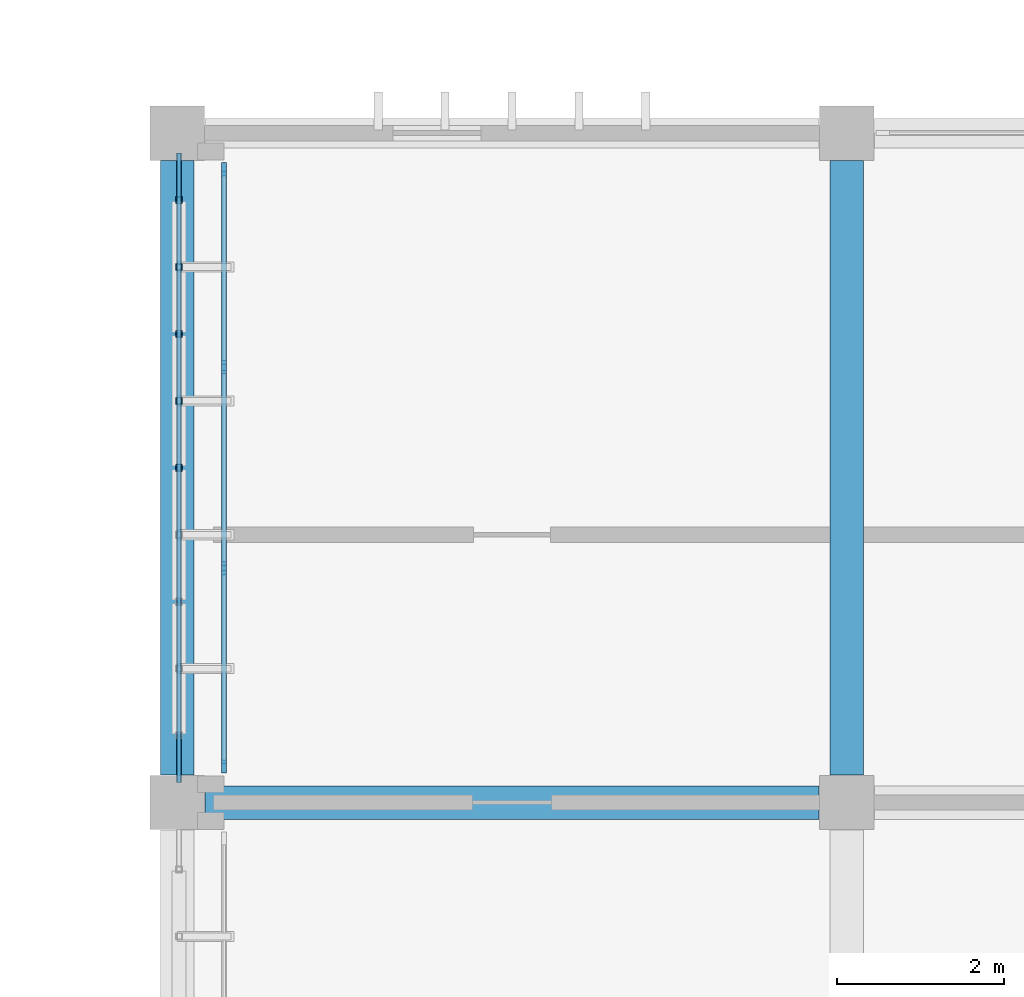
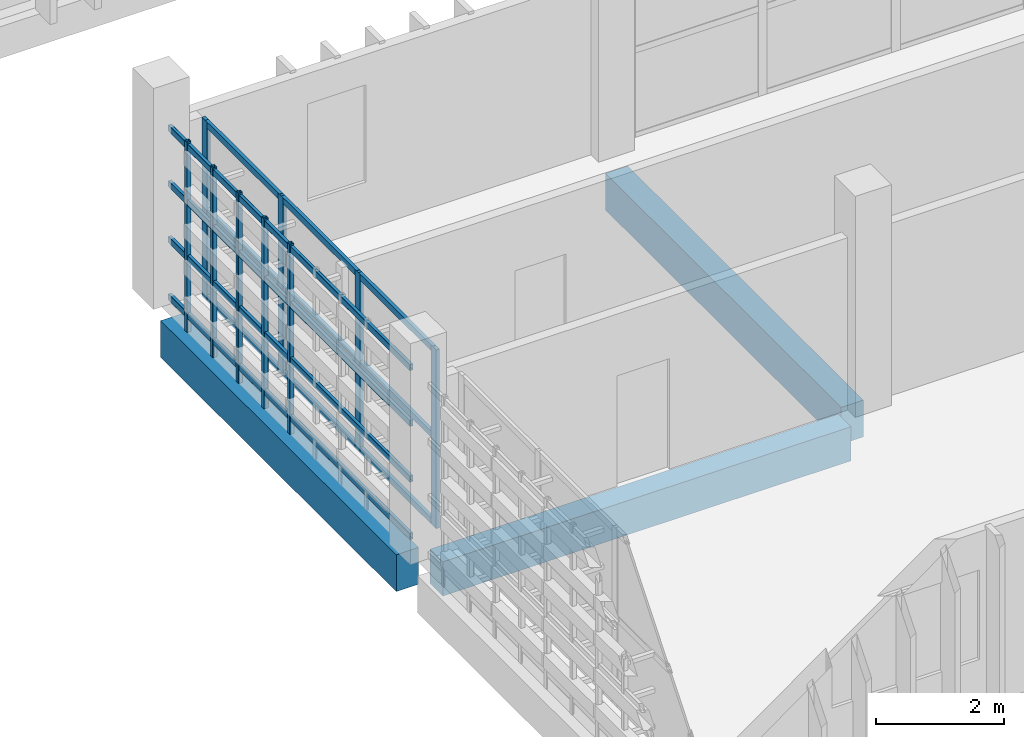
# One storey, part 33 of 83: 22 members, 3 beams, 1 element without a shape of its own.
"""IFC4 building model written with IfcOpenShell, lengths in metres."""

import ifcopenshell
import ifcopenshell.guid

model = None  # the IFC model being written
_history = None  # IfcOwnerHistory: only IFC2X3 demands one
_inside = {}  # id of a spatial element -> (the spatial element, [elements in it])
_under = {}  # id of a project, library or spatial element -> (it, [spatial elements below it])
_declared = {}  # id of a project -> (the project, [libraries it declares])
_typed = {}  # id of a type object -> (the type object, [elements of that type])
_made_of = {}  # id of a material, layer set ... -> (it, [elements and type objects made of it])


def new_model(schema):
    """Start an empty IFC model of exactly this schema.

    Asked for "IFC4X3", IfcOpenShell would pick the latest addendum, in which some entities
    have other attributes; the version numbers below select the first issue.
    IFC2X3 requires an IfcOwnerHistory on every rooted entity: one is made here for all.
    """
    global model, _history
    if schema == "IFC4X3":
        model = ifcopenshell.file(schema_version=(4, 3, 0, 0))
    else:
        model = ifcopenshell.file(schema=schema)
    _inside.clear()
    _under.clear()
    _declared.clear()
    _typed.clear()
    _made_of.clear()
    _history = None
    if model.schema == "IFC2X3":
        org = make("IfcOrganization", Name="unknown")
        user = make(
            "IfcPersonAndOrganization",
            ThePerson=make("IfcPerson", FamilyName="unknown"),
            TheOrganization=org,
        )
        app = make(
            "IfcApplication",
            ApplicationDeveloper=org,
            Version="unknown",
            ApplicationFullName="unknown",
            ApplicationIdentifier="unknown",
        )
        _history = make(
            "IfcOwnerHistory",
            OwningUser=user,
            OwningApplication=app,
            ChangeAction="ADDED",
            CreationDate=0,
        )
    return model


def make(cls, **values):
    """One entity of the class cls with the attributes given. An attribute that is None is left unset."""
    return model.create_entity(
        cls, **{name: value for name, value in values.items() if value is not None}
    )


def rooted(cls, **values):
    """An entity with a GlobalId (a new one), such as an element, a storey or a relation."""
    return make(cls, GlobalId=ifcopenshell.guid.new(), OwnerHistory=_history, **values)


def si_unit(unit_type, name, prefix=None):
    """IfcSIUnit, for example si_unit("LENGTHUNIT", "METRE", prefix="MILLI")."""
    return make("IfcSIUnit", UnitType=unit_type, Prefix=prefix, Name=name)


def assignment(units):
    """IfcUnitAssignment: the units of a project."""
    return None if units is None else make("IfcUnitAssignment", Units=units)


def point(xyz):
    """IfcCartesianPoint."""
    return None if xyz is None else make("IfcCartesianPoint", Coordinates=xyz)


def direction(xyz):
    """IfcDirection."""
    return None if xyz is None else make("IfcDirection", DirectionRatios=xyz)


def frame(location, z_axis=None, x_axis=None):
    """IfcAxis2Placement3D, a coordinate frame: its origin and axes. An axis left out is left unset."""
    return make(
        "IfcAxis2Placement3D",
        Location=point(location),
        Axis=direction(z_axis),
        RefDirection=direction(x_axis),
    )


def frame_2d(location, x_axis=None):
    """IfcAxis2Placement2D, a coordinate frame in the plane: its origin and x axis."""
    return make(
        "IfcAxis2Placement2D", Location=point(location), RefDirection=direction(x_axis)
    )


def origin():
    """The frame at (0, 0, 0) with its axes left unset."""
    return frame((0.0, 0.0, 0.0))


def origin_2d():
    """The frame at (0, 0) in the plane with its x axis left unset."""
    return frame_2d((0.0, 0.0))


def place(relative_to, where):
    """IfcLocalPlacement: puts the frame where relative to a parent placement (None: the world)."""
    return make(
        "IfcLocalPlacement", PlacementRelTo=relative_to, RelativePlacement=where
    )


def context(
    kind, dimensions, precision=None, world=None, true_north=None, identifier=None
):
    """IfcGeometricRepresentationContext, for example the 3D "Model" context."""
    return make(
        "IfcGeometricRepresentationContext",
        ContextIdentifier=identifier,
        ContextType=kind,
        CoordinateSpaceDimension=dimensions,
        Precision=precision,
        WorldCoordinateSystem=world,
        TrueNorth=true_north,
    )


def subcontext(parent, identifier, kind, view, scale=None):
    """IfcGeometricRepresentationSubContext, for example "Body" below "Model"."""
    return make(
        "IfcGeometricRepresentationSubContext",
        ContextIdentifier=identifier,
        ContextType=kind,
        ParentContext=parent,
        TargetScale=scale,
        TargetView=view,
    )


def project(units=None, contexts=None):
    """IfcProject with its units and contexts."""
    return rooted(
        "IfcProject",
        Name="project",
        RepresentationContexts=contexts,
        UnitsInContext=assignment(units),
    )


def spatial(cls, under=None, at=None, **own):
    """A site, building, storey or space (cls), placed at a placement, below another one or the project."""
    s = rooted(cls, ObjectPlacement=at, **own)
    if under is not None:
        _under.setdefault(under.id(), (under, []))[1].append(s)
    return s


def profile(cls, at=None, kind="AREA", **sizes):
    """A parametric profile (cls). Its sizes go by their IFC names, for example OverallWidth=200.0."""
    return make(cls, ProfileType=kind, Position=at, **sizes)


def rectangle(**sizes):
    """IfcRectangleProfileDef."""
    return profile("IfcRectangleProfileDef", **sizes)


def hollow_rectangle(**sizes):
    """IfcRectangleHollowProfileDef."""
    return profile("IfcRectangleHollowProfileDef", **sizes)


def extrude(swept, where, along, depth):
    """IfcExtrudedAreaSolid: the profile swept, set in the frame where, extruded along a direction by depth."""
    return make(
        "IfcExtrudedAreaSolid",
        SweptArea=swept,
        Position=where,
        ExtrudedDirection=direction(along),
        Depth=depth,
    )


def shape(context_of_items, identifier, shape_type, items):
    """IfcShapeRepresentation: the items that make up one representation, for example the "Body"."""
    return make(
        "IfcShapeRepresentation",
        ContextOfItems=context_of_items,
        RepresentationIdentifier=identifier,
        RepresentationType=shape_type,
        Items=items,
    )


def material(Name=None, Category=None):
    """IfcMaterial."""
    return make("IfcMaterial", Name=Name, Category=Category)


def layer(
    of_material, thickness, ventilated=None, Name=None, Category=None, Priority=None
):
    """IfcMaterialLayer: one layer of a wall or slab, of a material (None: an air gap)."""
    return make(
        "IfcMaterialLayer",
        Material=of_material,
        LayerThickness=thickness,
        IsVentilated=ventilated,
        Name=Name,
        Category=Category,
        Priority=Priority,
    )


def layer_set(layers, Name=None):
    """IfcMaterialLayerSet."""
    return make("IfcMaterialLayerSet", MaterialLayers=layers, LayerSetName=Name)


def material_profile(
    of_material, cross_section, Name=None, Category=None, Priority=None
):
    """IfcMaterialProfile: a cross section and its material."""
    return make(
        "IfcMaterialProfile",
        Name=Name,
        Material=of_material,
        Profile=cross_section,
        Priority=Priority,
        Category=Category,
    )


def profile_set(profiles, Name=None, composite=None):
    """IfcMaterialProfileSet."""
    return make(
        "IfcMaterialProfileSet",
        Name=Name,
        MaterialProfiles=profiles,
        CompositeProfile=composite,
    )


def made_of(thing, what):
    """Note that an element or type object is made of a material, layer set ...; save() writes the relation."""
    if what is not None:
        _made_of.setdefault(what.id(), (what, []))[1].append(thing)
    return thing


def type_object(cls, material=None, **own):
    """A type object (cls), such as IfcWallType, which elements share."""
    return made_of(rooted(cls, **own), material)


def element(
    cls,
    number,
    at=None,
    inside=None,
    cuts=None,
    type_object=None,
    material=None,
    context=None,
    identifier="Body",
    shape_type=None,
    held_by="IfcProductDefinitionShape",
    body=None,
    shapes=None,
    **own,
):
    """One element of the class cls, such as IfcWall. Its Tag is "e" and its number.

    at: its placement. inside: the storey or other place that contains it. cuts: it is an
    opening in that element (IfcRelVoidsElement). A single representation is given by context,
    identifier, shape_type and body (its items); several are given by shapes. held_by: the class
    of the entity that holds the representations. save() writes the other relations.
    """
    e = rooted(cls, Tag="e%d" % number, ObjectPlacement=at, **own)
    if body is not None:
        shapes = [shape(context, identifier, shape_type, body)]
    if shapes is not None:
        e.Representation = make(held_by, Representations=shapes)
    if inside is not None:
        _inside.setdefault(inside.id(), (inside, []))[1].append(e)
    if cuts is not None:
        rooted(
            "IfcRelVoidsElement", RelatingBuildingElement=cuts, RelatedOpeningElement=e
        )
    if type_object is not None:
        _typed.setdefault(type_object.id(), (type_object, []))[1].append(e)
    return made_of(e, material)


def aggregate(whole, parts):
    """IfcRelAggregates: a whole, such as a stair, and the parts it consists of."""
    return rooted("IfcRelAggregates", RelatingObject=whole, RelatedObjects=parts)


def save(model, path):
    """Write the relations noted so far, then the file.

    IfcRelAggregates (storeys below a building ...), IfcRelContainedInSpatialStructure (elements
    in a storey), IfcRelDefinesByType, IfcRelAssociatesMaterial and IfcRelDeclares: one each for
    every whole, place, type object, material and project.
    """
    for whole, parts in _under.values():
        aggregate(whole, parts)
    for where, things in _inside.values():
        rooted(
            "IfcRelContainedInSpatialStructure",
            RelatedElements=things,
            RelatingStructure=where,
        )
    for kind, things in _typed.values():
        rooted("IfcRelDefinesByType", RelatedObjects=things, RelatingType=kind)
    for what, things in _made_of.values():
        rooted("IfcRelAssociatesMaterial", RelatedObjects=things, RelatingMaterial=what)
    for by, libraries in _declared.values():
        rooted("IfcRelDeclares", RelatingContext=by, RelatedDefinitions=libraries)
    model.write(path)


model = new_model("IFC4")

# Units and contexts
model_context = context("Model", 3, precision=1e-05, world=origin(), true_north=direction((0.0, 1.0)))
body_context = subcontext(model_context, "Body", "Model", "MODEL_VIEW")
ifc_project = project(units=[si_unit("LENGTHUNIT", "METRE"), si_unit("AREAUNIT", "SQUARE_METRE"), si_unit("VOLUMEUNIT", "CUBIC_METRE"), si_unit("PLANEANGLEUNIT", "RADIAN"), si_unit("MASSUNIT", "GRAM", prefix="KILO")], contexts=[model_context])

# Site, building, storey
site_placement = place(None, origin())
site = spatial("IfcSite", under=ifc_project, at=site_placement, CompositionType="ELEMENT")
building_placement = place(site_placement, origin())
building = spatial("IfcBuilding", under=site, at=building_placement, Name="Jelvoka-Kovrelna Polytechnic", CompositionType="ELEMENT")
storey_placement = place(building_placement, frame((0.0, 0.0, 13.800048828125)))
storey = spatial("IfcBuildingStorey", under=building, at=storey_placement, Name="L04", CompositionType="ELEMENT", Elevation=13.800048828125)

# Beams
ifc_material_1 = material(Name="Concrete C40/50", Category="concrete")
ifc_material_profile_1 = material_profile(ifc_material_1, rectangle(XDim=0.39990234375, YDim=0.64990234375, at=origin_2d()), Name="RC 400x650")
ifc_profile_set_1 = profile_set([ifc_material_profile_1], Name="Concrete C40/50")
beam_type_1 = type_object("IfcBeamType", Name="Beam_RC_400x650", PredefinedType="BEAM", material=ifc_profile_set_1)
beam_placement = place(storey_placement, frame((128.330078125, 40.0, -0.574951171875), z_axis=(1.0, 0.0, 0.0), x_axis=(0.0, 1.0, 0.0)))
element("IfcBeam", 1, at=beam_placement, inside=storey, type_object=beam_type_1, Name="L04 beam 1221", PredefinedType="BEAM", context=body_context, shape_type="SweptSolid", body=[
    extrude(rectangle(XDim=0.39990234375, YDim=0.64990234375, at=origin_2d()), origin(), (0.0, 0.0, 1.0), 7.33984375),
])
ifc_material_2 = material(Name="Concrete C40/50", Category="concrete")
ifc_material_profile_2 = material_profile(ifc_material_2, rectangle(XDim=0.39990234375, YDim=0.699951171875, at=origin_2d()), Name="RC 400x700")
ifc_profile_set_2 = profile_set([ifc_material_profile_2], Name="Concrete C40/50")
beam_type_2 = type_object("IfcBeamType", Name="Beam_RC_400x700", PredefinedType="BEAM", material=ifc_profile_set_2)
for number, where, z_axis, x_axis, name in (
    (2, (128.0, 40.330078125, -0.60009765625), (0.0, 1.0, 0.0), (-1.0, 0.0, 0.0), "L04 beam 1239"),
    (3, (136.0, 40.330078125, -0.60009765625), (0.0, 1.0, 0.0), (-1.0, 0.0, 0.0), "L04 beam 1241"),
):
    element("IfcBeam", number, at=place(storey_placement, frame(where, z_axis=z_axis, x_axis=x_axis)), inside=storey, type_object=beam_type_2, Name=name, PredefinedType="BEAM", context=body_context, shape_type="SweptSolid", body=[
        extrude(rectangle(XDim=0.39990234375, YDim=0.699951171875, at=origin_2d()), origin(), (0.0, 0.0, 1.0), 7.33984375),
    ])

# Members
ifc_material_3 = material(Name="Structural steel S355J2H", Category="steel")
ifc_material_profile_3 = material_profile(ifc_material_3, hollow_rectangle(XDim=0.06005859375, YDim=0.1201171875, WallThickness=0.0048828125, InnerFilletRadius=0.0048828125, OuterFilletRadius=0.007568359375, at=origin_2d()), Name="120x60x5.0 RHS")
ifc_profile_set_3 = profile_set([ifc_material_profile_3], Name="Structural steel S355J2H")
member_type_1 = type_object("IfcMemberType", Name="Member_Strut_RHS120", PredefinedType="STRUT", material=ifc_profile_set_3)
for number, where, z_axis, x_axis, name in (
    (4, (128.02001953125, 40.239990234375, 0.079833984375), (0.0, 1.0, 0.0), (-1.0, 0.0, 0.0), "L04 terracotta screen horizontal strut 0443"),
    (5, (128.02001953125, 40.239990234375, 1.17138671875), (0.0, 1.0, 0.0), (-1.0, 0.0, 0.0), "L04 terracotta screen horizontal strut 0444"),
    (6, (128.02001953125, 40.239990234375, 2.230712890625), (0.0, 1.0, 0.0), (-1.0, 0.0, 0.0), "L04 terracotta screen horizontal strut 0445"),
    (7, (128.02001953125, 40.239990234375, 3.2900390625), (0.0, 1.0, 0.0), (-1.0, 0.0, 0.0), "L04 terracotta screen horizontal strut 0446"),
):
    element("IfcMember", number, at=place(storey_placement, frame(where, z_axis=z_axis, x_axis=x_axis)), inside=storey, type_object=member_type_1, Name=name, PredefinedType="STRUT", context=body_context, shape_type="SweptSolid", body=[
        extrude(hollow_rectangle(XDim=0.06005859375, YDim=0.1201171875, WallThickness=0.0048828125, InnerFilletRadius=0.0048828125, OuterFilletRadius=0.007568359375, at=origin_2d()), origin(), (0.0, 0.0, 1.0), 7.52001953125),
    ])
ifc_material_4 = material(Name="Structural steel S355J2H", Category="steel")
ifc_material_profile_4 = material_profile(ifc_material_4, hollow_rectangle(XDim=0.080078125, YDim=0.080078125, WallThickness=0.0048828125, InnerFilletRadius=0.0048828125, OuterFilletRadius=0.007568359375, at=origin_2d()), Name="80x80x5.0 SHS")
ifc_profile_set_4 = profile_set([ifc_material_profile_4], Name="Structural steel S355J2H")
member_type_2 = type_object("IfcMemberType", Name="Member_Strut_SHS80", PredefinedType="STRUT", material=ifc_profile_set_4)
for number, where, z_axis, x_axis, name in (
    (8, (128.02001953125, 44.0, -0.22998046875), (0.0, 0.0, 1.0), (1.0, 0.0, 0.0), "L04 terracotta lattice vertical rib 0451"),
    (9, (128.02001953125, 44.800048828125, -0.22998046875), (0.0, 0.0, 1.0), (1.0, 0.0, 0.0), "L04 terracotta lattice vertical rib 0452"),
    (10, (128.02001953125, 45.60009765625, -0.22998046875), (0.0, 0.0, 1.0), (1.0, 0.0, 0.0), "L04 terracotta lattice vertical rib 0453"),
    (11, (128.02001953125, 46.39990234375, -0.22998046875), (0.0, 0.0, 1.0), (1.0, 0.0, 0.0), "L04 terracotta lattice vertical rib 0454"),
    (12, (128.02001953125, 47.199951171875, -0.22998046875), (0.0, 0.0, 1.0), (1.0, 0.0, 0.0), "L04 terracotta lattice vertical rib 0455"),
):
    element("IfcMember", number, at=place(storey_placement, frame(where, z_axis=z_axis, x_axis=x_axis)), inside=storey, type_object=member_type_2, Name=name, PredefinedType="STRUT", context=body_context, shape_type="SweptSolid", body=[
        extrude(hollow_rectangle(XDim=0.080078125, YDim=0.080078125, WallThickness=0.0048828125, InnerFilletRadius=0.0048828125, OuterFilletRadius=0.007568359375, at=origin_2d()), origin(), (0.0, 0.0, 1.0), 3.60986328125),
    ])

# Curtain wall, members
ifc_material_5 = material(Name="Anodised aluminium 6063-T6", Category="aluminium")
ifc_layer = layer(ifc_material_5, 0.159912109375)
ifc_layer_set = layer_set([ifc_layer], Name="Anodised aluminium 6063-T6")
curtain_wall_type = type_object("IfcCurtainWallType", Name="CW_Recessed_A", PredefinedType="NOTDEFINED", material=ifc_layer_set)
curtain_wall_placement = place(storey_placement, origin())
curtain_wall = element("IfcCurtainWall", 13, at=curtain_wall_placement, inside=storey, type_object=curtain_wall_type, Name="L04 glazed curtain wall 067", PredefinedType="NOTDEFINED")
ifc_material_6 = material(Name="Anodised aluminium 6063-T6", Category="aluminium")
ifc_material_profile_5 = material_profile(ifc_material_6, rectangle(XDim=0.06005859375, YDim=0.159912109375, at=origin_2d()), Name="ALU 60x160")
ifc_profile_set_5 = profile_set([ifc_material_profile_5], Name="Anodised aluminium 6063-T6")
member_type_3 = type_object("IfcMemberType", Name="Mullion_M-01", PredefinedType="MULLION", material=ifc_profile_set_5)
member_1_placement = place(storey_placement, frame((128.56005859375, 40.429931640625, -0.02490234375), z_axis=(0.0, 0.0, 1.0), x_axis=(-1.0, 0.0, 0.0)))
member_1 = element("IfcMember", 14, at=member_1_placement, type_object=member_type_3, Name="CW-01 mullion 1", PredefinedType="MULLION", context=body_context, shape_type="SweptSolid", body=[
    extrude(rectangle(XDim=0.06005859375, YDim=0.159912109375, at=origin_2d()), origin(), (0.0, 0.0, 1.0), 3.39990234375),
])
member_2_placement = place(storey_placement, frame((128.56005859375, 42.800048828125, -0.02490234375), z_axis=(0.0, 0.0, 1.0), x_axis=(-1.0, 0.0, 0.0)))
member_2 = element("IfcMember", 15, at=member_2_placement, type_object=member_type_3, Name="CW-01 mullion 2", PredefinedType="MULLION", context=body_context, shape_type="SweptSolid", body=[
    extrude(rectangle(XDim=0.06005859375, YDim=0.159912109375, at=origin_2d()), origin(), (0.0, 0.0, 1.0), 3.39990234375),
])
member_3_placement = place(storey_placement, frame((128.56005859375, 45.199951171875, -0.02490234375), z_axis=(0.0, 0.0, 1.0), x_axis=(-1.0, 0.0, 0.0)))
member_3 = element("IfcMember", 16, at=member_3_placement, type_object=member_type_3, Name="CW-01 mullion 3", PredefinedType="MULLION", context=body_context, shape_type="SweptSolid", body=[
    extrude(rectangle(XDim=0.06005859375, YDim=0.159912109375, at=origin_2d()), origin(), (0.0, 0.0, 1.0), 3.39990234375),
])
member_4_placement = place(storey_placement, frame((128.56005859375, 47.570068359375, -0.02490234375), z_axis=(0.0, 0.0, 1.0), x_axis=(-1.0, 0.0, 0.0)))
member_4 = element("IfcMember", 17, at=member_4_placement, type_object=member_type_3, Name="CW-01 mullion 4", PredefinedType="MULLION", context=body_context, shape_type="SweptSolid", body=[
    extrude(rectangle(XDim=0.06005859375, YDim=0.159912109375, at=origin_2d()), origin(), (0.0, 0.0, 1.0), 3.39990234375),
])
ifc_material_7 = material(Name="Anodised aluminium 6063-T6", Category="aluminium")
ifc_material_profile_6 = material_profile(ifc_material_7, rectangle(XDim=0.06005859375, YDim=0.1201171875, at=origin_2d()), Name="ALU 60x120")
ifc_profile_set_6 = profile_set([ifc_material_profile_6], Name="Anodised aluminium 6063-T6")
member_type_4 = type_object("IfcMemberType", Name="Transom_T-01", PredefinedType="USERDEFINED", material=ifc_profile_set_6)
member_5_placement = place(storey_placement, frame((128.56005859375, 40.4599609375, 0.030029296875), z_axis=(0.0, 1.0, 0.0), x_axis=(-1.0, 0.0, 0.0)))
member_5 = element("IfcMember", 18, at=member_5_placement, type_object=member_type_4, Name="CW-01 transom 1.1", ObjectType="TRANSOM", PredefinedType="USERDEFINED", context=body_context, shape_type="SweptSolid", body=[
    extrude(rectangle(XDim=0.06005859375, YDim=0.1201171875, at=origin_2d()), origin(), (0.0, 0.0, 1.0), 2.31005859375),
])
member_6_placement = place(storey_placement, frame((128.56005859375, 40.4599609375, 1.675048828125), z_axis=(0.0, 1.0, 0.0), x_axis=(-1.0, 0.0, 0.0)))
member_6 = element("IfcMember", 19, at=member_6_placement, type_object=member_type_4, Name="CW-01 transom 1.2", ObjectType="TRANSOM", PredefinedType="USERDEFINED", context=body_context, shape_type="SweptSolid", body=[
    extrude(rectangle(XDim=0.06005859375, YDim=0.1201171875, at=origin_2d()), origin(), (0.0, 0.0, 1.0), 2.31005859375),
])
member_7_placement = place(storey_placement, frame((128.56005859375, 40.4599609375, 3.320068359375), z_axis=(0.0, 1.0, 0.0), x_axis=(-1.0, 0.0, 0.0)))
member_7 = element("IfcMember", 20, at=member_7_placement, type_object=member_type_4, Name="CW-01 transom 1.3", ObjectType="TRANSOM", PredefinedType="USERDEFINED", context=body_context, shape_type="SweptSolid", body=[
    extrude(rectangle(XDim=0.06005859375, YDim=0.1201171875, at=origin_2d()), origin(), (0.0, 0.0, 1.0), 2.31005859375),
])
member_8_placement = place(storey_placement, frame((128.56005859375, 42.830078125, 0.030029296875), z_axis=(0.0, 1.0, 0.0), x_axis=(-1.0, 0.0, 0.0)))
member_8 = element("IfcMember", 21, at=member_8_placement, type_object=member_type_4, Name="CW-01 transom 2.1", ObjectType="TRANSOM", PredefinedType="USERDEFINED", context=body_context, shape_type="SweptSolid", body=[
    extrude(rectangle(XDim=0.06005859375, YDim=0.1201171875, at=origin_2d()), origin(), (0.0, 0.0, 1.0), 2.33984375),
])
member_9_placement = place(storey_placement, frame((128.56005859375, 42.830078125, 1.675048828125), z_axis=(0.0, 1.0, 0.0), x_axis=(-1.0, 0.0, 0.0)))
member_9 = element("IfcMember", 22, at=member_9_placement, type_object=member_type_4, Name="CW-01 transom 2.2", ObjectType="TRANSOM", PredefinedType="USERDEFINED", context=body_context, shape_type="SweptSolid", body=[
    extrude(rectangle(XDim=0.06005859375, YDim=0.1201171875, at=origin_2d()), origin(), (0.0, 0.0, 1.0), 2.33984375),
])
member_10_placement = place(storey_placement, frame((128.56005859375, 42.830078125, 3.320068359375), z_axis=(0.0, 1.0, 0.0), x_axis=(-1.0, 0.0, 0.0)))
member_10 = element("IfcMember", 23, at=member_10_placement, type_object=member_type_4, Name="CW-01 transom 2.3", ObjectType="TRANSOM", PredefinedType="USERDEFINED", context=body_context, shape_type="SweptSolid", body=[
    extrude(rectangle(XDim=0.06005859375, YDim=0.1201171875, at=origin_2d()), origin(), (0.0, 0.0, 1.0), 2.33984375),
])
member_11_placement = place(storey_placement, frame((128.56005859375, 45.22998046875, 0.030029296875), z_axis=(0.0, 1.0, 0.0), x_axis=(-1.0, 0.0, 0.0)))
member_11 = element("IfcMember", 24, at=member_11_placement, type_object=member_type_4, Name="CW-01 transom 3.1", ObjectType="TRANSOM", PredefinedType="USERDEFINED", context=body_context, shape_type="SweptSolid", body=[
    extrude(rectangle(XDim=0.06005859375, YDim=0.1201171875, at=origin_2d()), origin(), (0.0, 0.0, 1.0), 2.31005859375),
])
member_12_placement = place(storey_placement, frame((128.56005859375, 45.22998046875, 1.675048828125), z_axis=(0.0, 1.0, 0.0), x_axis=(-1.0, 0.0, 0.0)))
member_12 = element("IfcMember", 25, at=member_12_placement, type_object=member_type_4, Name="CW-01 transom 3.2", ObjectType="TRANSOM", PredefinedType="USERDEFINED", context=body_context, shape_type="SweptSolid", body=[
    extrude(rectangle(XDim=0.06005859375, YDim=0.1201171875, at=origin_2d()), origin(), (0.0, 0.0, 1.0), 2.31005859375),
])
member_13_placement = place(storey_placement, frame((128.56005859375, 45.22998046875, 3.320068359375), z_axis=(0.0, 1.0, 0.0), x_axis=(-1.0, 0.0, 0.0)))
member_13 = element("IfcMember", 26, at=member_13_placement, type_object=member_type_4, Name="CW-01 transom 3.3", ObjectType="TRANSOM", PredefinedType="USERDEFINED", context=body_context, shape_type="SweptSolid", body=[
    extrude(rectangle(XDim=0.06005859375, YDim=0.1201171875, at=origin_2d()), origin(), (0.0, 0.0, 1.0), 2.31005859375),
])
aggregate(curtain_wall, [member_1, member_2, member_3, member_4, member_5, member_6, member_7, member_8, member_9, member_10, member_11, member_12, member_13])

save(model, "model.ifc")
